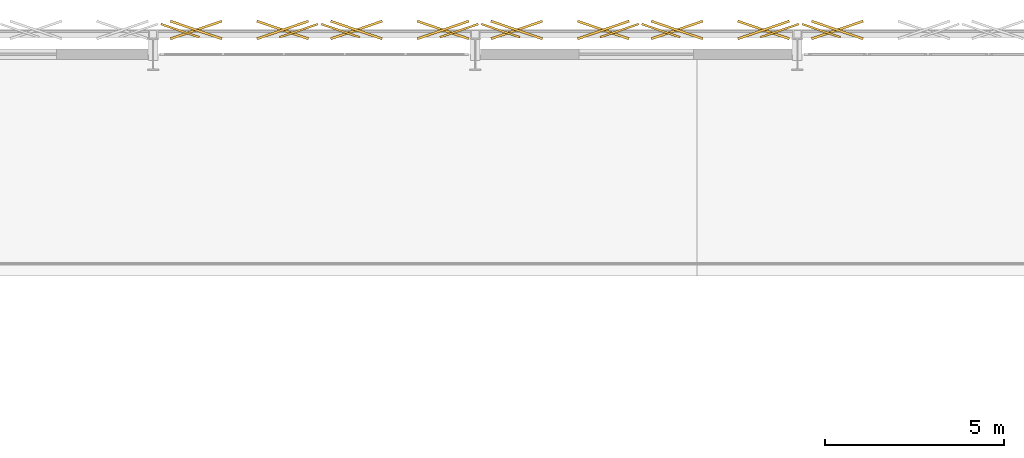
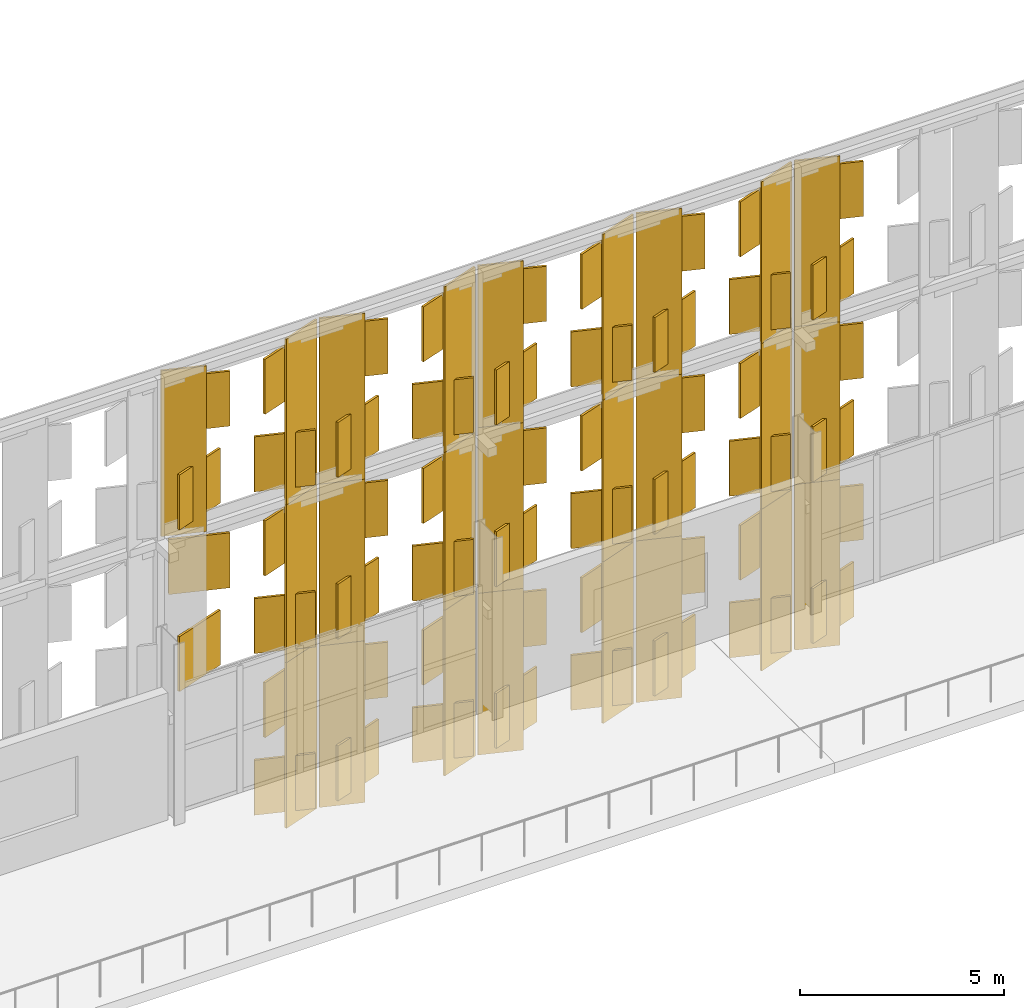
# One storey, part 196 of 210: 77 coverings.
"""IFC4 building model written with IfcOpenShell, lengths in metres."""

from ifc_helpers import new_model, si_unit, direction, frame, origin, origin_2d, place, context, subcontext, project, spatial, rectangle, extrude, material, layer, layer_set, type_object, element, save


model = new_model("IFC4")

# Units and contexts
model_context = context("Model", 3, precision=1e-05, world=origin(), true_north=direction((0.0, 1.0)))
body_context = subcontext(model_context, "Body", "Model", "MODEL_VIEW")
ifc_project = project(units=[si_unit("LENGTHUNIT", "METRE"), si_unit("AREAUNIT", "SQUARE_METRE"), si_unit("VOLUMEUNIT", "CUBIC_METRE"), si_unit("PLANEANGLEUNIT", "RADIAN"), si_unit("MASSUNIT", "GRAM", prefix="KILO")], contexts=[model_context])

# Site, building, storey
site_placement = place(None, origin())
site = spatial("IfcSite", under=ifc_project, at=site_placement, CompositionType="ELEMENT")
building_placement = place(site_placement, origin())
building = spatial("IfcBuilding", under=site, at=building_placement, Name="Kaldris Quays Convention Centre", CompositionType="ELEMENT")
storey_placement = place(building_placement, frame((0.0, 0.0, 6.0)))
storey = spatial("IfcBuildingStorey", under=building, at=storey_placement, Name="L01", CompositionType="ELEMENT", Elevation=6.0)

# Coverings
ifc_material = material(Name="Alabaster white star-pierced anodized aluminium panel", Category="aluminium")
ifc_layer = layer(ifc_material, 0.044921875)
ifc_layer_set = layer_set([ifc_layer], Name="Alabaster white star-pierced anodized aluminium panel")
covering_type = type_object("IfcCoveringType", Name="STAR PIERCED WHITE FOLDED SCREEN CL01", PredefinedType="CLADDING", material=ifc_layer_set)
covering_1_placement = place(storey_placement, frame((51.06787109375, 140.659912109375, -1.91015625), z_axis=(0.0, 0.0, 1.0), x_axis=(0.945518575599, 0.325568154457, 0.0)))
element("IfcCovering", 1, at=covering_1_placement, inside=storey, type_object=covering_type, Name="V1N Folded White Screen Stile 680", PredefinedType="CLADDING", context=body_context, shape_type="SweptSolid", body=[
    extrude(rectangle(XDim=1.136962890625, YDim=0.054931640625, at=origin_2d()), origin(), (0.0, 0.0, 1.0), 4.952880859375),
])
for number, where, z_axis, x_axis, name in (
    (2, (50.619873046875, 140.679931640625, -1.559814453125), (0.0, 0.0, 1.0), (0.945518575599, -0.325568154457, 0.0), "V1N Carved Star Corner Facet 683"),
    (3, (50.619873046875, 140.679931640625, 1.0498046875), (0.0, 0.0, 1.0), (0.945518575599, 0.325568154457, 0.0), "V1N Carved Star Corner Facet 684"),
):
    element("IfcCovering", number, at=place(storey_placement, frame(where, z_axis=z_axis, x_axis=x_axis)), inside=storey, type_object=covering_type, Name=name, PredefinedType="CLADDING", context=body_context, shape_type="SweptSolid", body=[
        extrude(rectangle(XDim=1.52294921875, YDim=0.06494140625, at=origin_2d()), origin(), (0.0, 0.0, 1.0), 1.64306640625),
    ])
covering_2_placement = place(storey_placement, frame((51.06787109375, 140.659912109375, 2.9228515625), z_axis=(0.0, 0.0, 1.0), x_axis=(0.945518575599, 0.325568154457, 0.0)))
element("IfcCovering", 4, at=covering_2_placement, inside=storey, type_object=covering_type, Name="V1N Folded White Screen Stile 686", PredefinedType="CLADDING", context=body_context, shape_type="SweptSolid", body=[
    extrude(rectangle(XDim=1.136962890625, YDim=0.054931640625, at=origin_2d()), origin(), (0.0, 0.0, 1.0), 4.9541015625),
])
for number, where, z_axis, x_axis, name in (
    (5, (48.201416015625, 140.679931640625, 3.272705078125), (0.0, 0.0, 1.0), (0.945518575599, 0.325568154457, 0.0), "V1N Carved Star Corner Facet 687"),
    (6, (48.201416015625, 140.679931640625, 5.883056640625), (0.0, 0.0, 1.0), (0.945518575599, -0.325568154457, 0.0), "V1N Carved Star Corner Facet 688"),
    (7, (50.619873046875, 140.679931640625, 3.272705078125), (0.0, 0.0, 1.0), (0.945518575599, -0.325568154457, 0.0), "V1N Carved Star Corner Facet 689"),
    (8, (50.619873046875, 140.679931640625, 5.883056640625), (0.0, 0.0, 1.0), (0.945518575599, 0.325568154457, 0.0), "V1N Carved Star Corner Facet 690"),
):
    element("IfcCovering", number, at=place(storey_placement, frame(where, z_axis=z_axis, x_axis=x_axis)), inside=storey, type_object=covering_type, Name=name, PredefinedType="CLADDING", context=body_context, shape_type="SweptSolid", body=[
        extrude(rectangle(XDim=1.52294921875, YDim=0.06494140625, at=origin_2d()), origin(), (0.0, 0.0, 1.0), 1.64404296875),
    ])
for number, where, z_axis, x_axis, name in (
    (9, (47.753662109375, 140.659912109375, 7.7568359375), (0.0, 0.0, 1.0), (0.945518575599, -0.325568154457, 0.0), "V1N Folded White Screen Stile 691"),
    (10, (51.06787109375, 140.659912109375, 7.7568359375), (0.0, 0.0, 1.0), (0.945518575599, 0.325568154457, 0.0), "V1N Folded White Screen Stile 692"),
):
    element("IfcCovering", number, at=place(storey_placement, frame(where, z_axis=z_axis, x_axis=x_axis)), inside=storey, type_object=covering_type, Name=name, PredefinedType="CLADDING", context=body_context, shape_type="SweptSolid", body=[
        extrude(rectangle(XDim=1.136962890625, YDim=0.054931640625, at=origin_2d()), origin(), (0.0, 0.0, 1.0), 4.952880859375),
    ])
for number, where, z_axis, x_axis, name in (
    (11, (48.201416015625, 140.679931640625, 8.107177734375), (0.0, 0.0, 1.0), (0.945518575599, 0.325568154457, 0.0), "V1N Carved Star Corner Facet 693"),
    (12, (48.201416015625, 140.679931640625, 10.716796875), (0.0, 0.0, 1.0), (0.945518575599, -0.325568154457, 0.0), "V1N Carved Star Corner Facet 694"),
    (13, (50.619873046875, 140.679931640625, 8.107177734375), (0.0, 0.0, 1.0), (0.945518575599, -0.325568154457, 0.0), "V1N Carved Star Corner Facet 695"),
    (14, (50.619873046875, 140.679931640625, 10.716796875), (0.0, 0.0, 1.0), (0.945518575599, 0.325568154457, 0.0), "V1N Carved Star Corner Facet 696"),
):
    element("IfcCovering", number, at=place(storey_placement, frame(where, z_axis=z_axis, x_axis=x_axis)), inside=storey, type_object=covering_type, Name=name, PredefinedType="CLADDING", context=body_context, shape_type="SweptSolid", body=[
        extrude(rectangle(XDim=1.52294921875, YDim=0.06494140625, at=origin_2d()), origin(), (0.0, 0.0, 1.0), 1.64306640625),
    ])
for number, where, z_axis, x_axis, name in (
    (15, (52.232177734375, 140.659912109375, -1.91015625), (0.0, 0.0, 1.0), (0.945518575599, -0.325568154457, 0.0), "V1N Folded White Screen Stile 697"),
    (16, (55.54638671875, 140.659912109375, -1.91015625), (0.0, 0.0, 1.0), (0.945518575599, 0.325568154457, 0.0), "V1N Folded White Screen Stile 698"),
):
    element("IfcCovering", number, at=place(storey_placement, frame(where, z_axis=z_axis, x_axis=x_axis)), inside=storey, type_object=covering_type, Name=name, PredefinedType="CLADDING", context=body_context, shape_type="SweptSolid", body=[
        extrude(rectangle(XDim=1.136962890625, YDim=0.054931640625, at=origin_2d()), origin(), (0.0, 0.0, 1.0), 4.952880859375),
    ])
for number, where, z_axis, x_axis, name in (
    (17, (52.68017578125, 140.679931640625, -1.559814453125), (0.0, 0.0, 1.0), (0.945518575599, 0.325568154457, 0.0), "V1N Carved Star Corner Facet 699"),
    (18, (52.68017578125, 140.679931640625, 1.0498046875), (0.0, 0.0, 1.0), (0.945518575599, -0.325568154457, 0.0), "V1N Carved Star Corner Facet 700"),
    (19, (55.098388671875, 140.679931640625, -1.559814453125), (0.0, 0.0, 1.0), (0.945518575599, -0.325568154457, 0.0), "V1N Carved Star Corner Facet 701"),
    (20, (55.098388671875, 140.679931640625, 1.0498046875), (0.0, 0.0, 1.0), (0.945518575599, 0.325568154457, 0.0), "V1N Carved Star Corner Facet 702"),
):
    element("IfcCovering", number, at=place(storey_placement, frame(where, z_axis=z_axis, x_axis=x_axis)), inside=storey, type_object=covering_type, Name=name, PredefinedType="CLADDING", context=body_context, shape_type="SweptSolid", body=[
        extrude(rectangle(XDim=1.52294921875, YDim=0.06494140625, at=origin_2d()), origin(), (0.0, 0.0, 1.0), 1.64306640625),
    ])
for number, where, z_axis, x_axis, name in (
    (21, (52.232177734375, 140.659912109375, 2.9228515625), (0.0, 0.0, 1.0), (0.945518575599, -0.325568154457, 0.0), "V1N Folded White Screen Stile 703"),
    (22, (55.54638671875, 140.659912109375, 2.9228515625), (0.0, 0.0, 1.0), (0.945518575599, 0.325568154457, 0.0), "V1N Folded White Screen Stile 704"),
):
    element("IfcCovering", number, at=place(storey_placement, frame(where, z_axis=z_axis, x_axis=x_axis)), inside=storey, type_object=covering_type, Name=name, PredefinedType="CLADDING", context=body_context, shape_type="SweptSolid", body=[
        extrude(rectangle(XDim=1.136962890625, YDim=0.054931640625, at=origin_2d()), origin(), (0.0, 0.0, 1.0), 4.9541015625),
    ])
for number, where, z_axis, x_axis, name in (
    (23, (52.68017578125, 140.679931640625, 3.272705078125), (0.0, 0.0, 1.0), (0.945518575599, 0.325568154457, 0.0), "V1N Carved Star Corner Facet 705"),
    (24, (52.68017578125, 140.679931640625, 5.883056640625), (0.0, 0.0, 1.0), (0.945518575599, -0.325568154457, 0.0), "V1N Carved Star Corner Facet 706"),
    (25, (55.098388671875, 140.679931640625, 3.272705078125), (0.0, 0.0, 1.0), (0.945518575599, -0.325568154457, 0.0), "V1N Carved Star Corner Facet 707"),
    (26, (55.098388671875, 140.679931640625, 5.883056640625), (0.0, 0.0, 1.0), (0.945518575599, 0.325568154457, 0.0), "V1N Carved Star Corner Facet 708"),
):
    element("IfcCovering", number, at=place(storey_placement, frame(where, z_axis=z_axis, x_axis=x_axis)), inside=storey, type_object=covering_type, Name=name, PredefinedType="CLADDING", context=body_context, shape_type="SweptSolid", body=[
        extrude(rectangle(XDim=1.52294921875, YDim=0.06494140625, at=origin_2d()), origin(), (0.0, 0.0, 1.0), 1.64404296875),
    ])
for number, where, z_axis, x_axis, name in (
    (27, (52.232177734375, 140.659912109375, 7.7568359375), (0.0, 0.0, 1.0), (0.945518575599, -0.325568154457, 0.0), "V1N Folded White Screen Stile 709"),
    (28, (55.54638671875, 140.659912109375, 7.7568359375), (0.0, 0.0, 1.0), (0.945518575599, 0.325568154457, 0.0), "V1N Folded White Screen Stile 710"),
):
    element("IfcCovering", number, at=place(storey_placement, frame(where, z_axis=z_axis, x_axis=x_axis)), inside=storey, type_object=covering_type, Name=name, PredefinedType="CLADDING", context=body_context, shape_type="SweptSolid", body=[
        extrude(rectangle(XDim=1.136962890625, YDim=0.054931640625, at=origin_2d()), origin(), (0.0, 0.0, 1.0), 4.952880859375),
    ])
for number, where, z_axis, x_axis, name in (
    (29, (52.68017578125, 140.679931640625, 8.107177734375), (0.0, 0.0, 1.0), (0.945518575599, 0.325568154457, 0.0), "V1N Carved Star Corner Facet 711"),
    (30, (52.68017578125, 140.679931640625, 10.716796875), (0.0, 0.0, 1.0), (0.945518575599, -0.325568154457, 0.0), "V1N Carved Star Corner Facet 712"),
    (31, (55.098388671875, 140.679931640625, 8.107177734375), (0.0, 0.0, 1.0), (0.945518575599, -0.325568154457, 0.0), "V1N Carved Star Corner Facet 713"),
    (32, (55.098388671875, 140.679931640625, 10.716796875), (0.0, 0.0, 1.0), (0.945518575599, 0.325568154457, 0.0), "V1N Carved Star Corner Facet 714"),
):
    element("IfcCovering", number, at=place(storey_placement, frame(where, z_axis=z_axis, x_axis=x_axis)), inside=storey, type_object=covering_type, Name=name, PredefinedType="CLADDING", context=body_context, shape_type="SweptSolid", body=[
        extrude(rectangle(XDim=1.52294921875, YDim=0.06494140625, at=origin_2d()), origin(), (0.0, 0.0, 1.0), 1.64306640625),
    ])
for number, where, z_axis, x_axis, name in (
    (33, (56.710693359375, 140.659912109375, -1.91015625), (0.0, 0.0, 1.0), (0.945518575599, -0.325568154457, 0.0), "V1N Folded White Screen Stile 715"),
    (34, (60.02490234375, 140.659912109375, -1.91015625), (0.0, 0.0, 1.0), (0.945518575599, 0.325568154457, 0.0), "V1N Folded White Screen Stile 716"),
):
    element("IfcCovering", number, at=place(storey_placement, frame(where, z_axis=z_axis, x_axis=x_axis)), inside=storey, type_object=covering_type, Name=name, PredefinedType="CLADDING", context=body_context, shape_type="SweptSolid", body=[
        extrude(rectangle(XDim=1.136962890625, YDim=0.054931640625, at=origin_2d()), origin(), (0.0, 0.0, 1.0), 4.952880859375),
    ])
for number, where, z_axis, x_axis, name in (
    (35, (57.15869140625, 140.679931640625, -1.559814453125), (0.0, 0.0, 1.0), (0.945518575599, 0.325568154457, 0.0), "V1N Carved Star Corner Facet 717"),
    (36, (57.15869140625, 140.679931640625, 1.0498046875), (0.0, 0.0, 1.0), (0.945518575599, -0.325568154457, 0.0), "V1N Carved Star Corner Facet 718"),
    (37, (59.5771484375, 140.679931640625, -1.559814453125), (0.0, 0.0, 1.0), (0.945518575599, -0.325568154457, 0.0), "V1N Carved Star Corner Facet 719"),
    (38, (59.5771484375, 140.679931640625, 1.0498046875), (0.0, 0.0, 1.0), (0.945518575599, 0.325568154457, 0.0), "V1N Carved Star Corner Facet 720"),
):
    element("IfcCovering", number, at=place(storey_placement, frame(where, z_axis=z_axis, x_axis=x_axis)), inside=storey, type_object=covering_type, Name=name, PredefinedType="CLADDING", context=body_context, shape_type="SweptSolid", body=[
        extrude(rectangle(XDim=1.52294921875, YDim=0.06494140625, at=origin_2d()), origin(), (0.0, 0.0, 1.0), 1.64306640625),
    ])
for number, where, z_axis, x_axis, name in (
    (39, (56.710693359375, 140.659912109375, 2.9228515625), (0.0, 0.0, 1.0), (0.945518575599, -0.325568154457, 0.0), "V1N Folded White Screen Stile 721"),
    (40, (60.02490234375, 140.659912109375, 2.9228515625), (0.0, 0.0, 1.0), (0.945518575599, 0.325568154457, 0.0), "V1N Folded White Screen Stile 722"),
):
    element("IfcCovering", number, at=place(storey_placement, frame(where, z_axis=z_axis, x_axis=x_axis)), inside=storey, type_object=covering_type, Name=name, PredefinedType="CLADDING", context=body_context, shape_type="SweptSolid", body=[
        extrude(rectangle(XDim=1.136962890625, YDim=0.054931640625, at=origin_2d()), origin(), (0.0, 0.0, 1.0), 4.9541015625),
    ])
for number, where, z_axis, x_axis, name in (
    (41, (57.15869140625, 140.679931640625, 3.272705078125), (0.0, 0.0, 1.0), (0.945518575599, 0.325568154457, 0.0), "V1N Carved Star Corner Facet 723"),
    (42, (57.15869140625, 140.679931640625, 5.883056640625), (0.0, 0.0, 1.0), (0.945518575599, -0.325568154457, 0.0), "V1N Carved Star Corner Facet 724"),
    (43, (59.5771484375, 140.679931640625, 3.272705078125), (0.0, 0.0, 1.0), (0.945518575599, -0.325568154457, 0.0), "V1N Carved Star Corner Facet 725"),
    (44, (59.5771484375, 140.679931640625, 5.883056640625), (0.0, 0.0, 1.0), (0.945518575599, 0.325568154457, 0.0), "V1N Carved Star Corner Facet 726"),
):
    element("IfcCovering", number, at=place(storey_placement, frame(where, z_axis=z_axis, x_axis=x_axis)), inside=storey, type_object=covering_type, Name=name, PredefinedType="CLADDING", context=body_context, shape_type="SweptSolid", body=[
        extrude(rectangle(XDim=1.52294921875, YDim=0.06494140625, at=origin_2d()), origin(), (0.0, 0.0, 1.0), 1.64404296875),
    ])
for number, where, z_axis, x_axis, name in (
    (45, (56.710693359375, 140.659912109375, 7.7568359375), (0.0, 0.0, 1.0), (0.945518575599, -0.325568154457, 0.0), "V1N Folded White Screen Stile 727"),
    (46, (60.02490234375, 140.659912109375, 7.7568359375), (0.0, 0.0, 1.0), (0.945518575599, 0.325568154457, 0.0), "V1N Folded White Screen Stile 728"),
):
    element("IfcCovering", number, at=place(storey_placement, frame(where, z_axis=z_axis, x_axis=x_axis)), inside=storey, type_object=covering_type, Name=name, PredefinedType="CLADDING", context=body_context, shape_type="SweptSolid", body=[
        extrude(rectangle(XDim=1.136962890625, YDim=0.054931640625, at=origin_2d()), origin(), (0.0, 0.0, 1.0), 4.952880859375),
    ])
for number, where, z_axis, x_axis, name in (
    (47, (57.15869140625, 140.679931640625, 8.107177734375), (0.0, 0.0, 1.0), (0.945518575599, 0.325568154457, 0.0), "V1N Carved Star Corner Facet 729"),
    (48, (57.15869140625, 140.679931640625, 10.716796875), (0.0, 0.0, 1.0), (0.945518575599, -0.325568154457, 0.0), "V1N Carved Star Corner Facet 730"),
    (49, (59.5771484375, 140.679931640625, 8.107177734375), (0.0, 0.0, 1.0), (0.945518575599, -0.325568154457, 0.0), "V1N Carved Star Corner Facet 731"),
    (50, (59.5771484375, 140.679931640625, 10.716796875), (0.0, 0.0, 1.0), (0.945518575599, 0.325568154457, 0.0), "V1N Carved Star Corner Facet 732"),
):
    element("IfcCovering", number, at=place(storey_placement, frame(where, z_axis=z_axis, x_axis=x_axis)), inside=storey, type_object=covering_type, Name=name, PredefinedType="CLADDING", context=body_context, shape_type="SweptSolid", body=[
        extrude(rectangle(XDim=1.52294921875, YDim=0.06494140625, at=origin_2d()), origin(), (0.0, 0.0, 1.0), 1.64306640625),
    ])
for number, where, z_axis, x_axis, name in (
    (51, (61.189453125, 140.659912109375, -1.91015625), (0.0, 0.0, 1.0), (0.945518575599, -0.325568154457, 0.0), "V1N Folded White Screen Stile 733"),
    (52, (64.50341796875, 140.659912109375, -1.91015625), (0.0, 0.0, 1.0), (0.945518575599, 0.325568154457, 0.0), "V1N Folded White Screen Stile 734"),
):
    element("IfcCovering", number, at=place(storey_placement, frame(where, z_axis=z_axis, x_axis=x_axis)), inside=storey, type_object=covering_type, Name=name, PredefinedType="CLADDING", context=body_context, shape_type="SweptSolid", body=[
        extrude(rectangle(XDim=1.136962890625, YDim=0.054931640625, at=origin_2d()), origin(), (0.0, 0.0, 1.0), 4.952880859375),
    ])
for number, where, z_axis, x_axis, name in (
    (53, (61.63720703125, 140.679931640625, -1.559814453125), (0.0, 0.0, 1.0), (0.945518575599, 0.325568154457, 0.0), "V1N Carved Star Corner Facet 735"),
    (54, (61.63720703125, 140.679931640625, 1.0498046875), (0.0, 0.0, 1.0), (0.945518575599, -0.325568154457, 0.0), "V1N Carved Star Corner Facet 736"),
    (55, (64.0556640625, 140.679931640625, -1.559814453125), (0.0, 0.0, 1.0), (0.945518575599, -0.325568154457, 0.0), "V1N Carved Star Corner Facet 737"),
    (56, (64.0556640625, 140.679931640625, 1.0498046875), (0.0, 0.0, 1.0), (0.945518575599, 0.325568154457, 0.0), "V1N Carved Star Corner Facet 738"),
):
    element("IfcCovering", number, at=place(storey_placement, frame(where, z_axis=z_axis, x_axis=x_axis)), inside=storey, type_object=covering_type, Name=name, PredefinedType="CLADDING", context=body_context, shape_type="SweptSolid", body=[
        extrude(rectangle(XDim=1.52294921875, YDim=0.06494140625, at=origin_2d()), origin(), (0.0, 0.0, 1.0), 1.64306640625),
    ])
for number, where, z_axis, x_axis, name in (
    (57, (61.189453125, 140.659912109375, 2.9228515625), (0.0, 0.0, 1.0), (0.945518575599, -0.325568154457, 0.0), "V1N Folded White Screen Stile 739"),
    (58, (64.50341796875, 140.659912109375, 2.9228515625), (0.0, 0.0, 1.0), (0.945518575599, 0.325568154457, 0.0), "V1N Folded White Screen Stile 740"),
):
    element("IfcCovering", number, at=place(storey_placement, frame(where, z_axis=z_axis, x_axis=x_axis)), inside=storey, type_object=covering_type, Name=name, PredefinedType="CLADDING", context=body_context, shape_type="SweptSolid", body=[
        extrude(rectangle(XDim=1.136962890625, YDim=0.054931640625, at=origin_2d()), origin(), (0.0, 0.0, 1.0), 4.9541015625),
    ])
for number, where, z_axis, x_axis, name in (
    (59, (61.63720703125, 140.679931640625, 3.272705078125), (0.0, 0.0, 1.0), (0.945518575599, 0.325568154457, 0.0), "V1N Carved Star Corner Facet 741"),
    (60, (61.63720703125, 140.679931640625, 5.883056640625), (0.0, 0.0, 1.0), (0.945518575599, -0.325568154457, 0.0), "V1N Carved Star Corner Facet 742"),
    (61, (64.0556640625, 140.679931640625, 3.272705078125), (0.0, 0.0, 1.0), (0.945518575599, -0.325568154457, 0.0), "V1N Carved Star Corner Facet 743"),
    (62, (64.0556640625, 140.679931640625, 5.883056640625), (0.0, 0.0, 1.0), (0.945518575599, 0.325568154457, 0.0), "V1N Carved Star Corner Facet 744"),
):
    element("IfcCovering", number, at=place(storey_placement, frame(where, z_axis=z_axis, x_axis=x_axis)), inside=storey, type_object=covering_type, Name=name, PredefinedType="CLADDING", context=body_context, shape_type="SweptSolid", body=[
        extrude(rectangle(XDim=1.52294921875, YDim=0.06494140625, at=origin_2d()), origin(), (0.0, 0.0, 1.0), 1.64404296875),
    ])
for number, where, z_axis, x_axis, name in (
    (63, (61.189453125, 140.659912109375, 7.7568359375), (0.0, 0.0, 1.0), (0.945518575599, -0.325568154457, 0.0), "V1N Folded White Screen Stile 745"),
    (64, (64.50341796875, 140.659912109375, 7.7568359375), (0.0, 0.0, 1.0), (0.945518575599, 0.325568154457, 0.0), "V1N Folded White Screen Stile 746"),
):
    element("IfcCovering", number, at=place(storey_placement, frame(where, z_axis=z_axis, x_axis=x_axis)), inside=storey, type_object=covering_type, Name=name, PredefinedType="CLADDING", context=body_context, shape_type="SweptSolid", body=[
        extrude(rectangle(XDim=1.136962890625, YDim=0.054931640625, at=origin_2d()), origin(), (0.0, 0.0, 1.0), 4.952880859375),
    ])
for number, where, z_axis, x_axis, name in (
    (65, (61.63720703125, 140.679931640625, 8.107177734375), (0.0, 0.0, 1.0), (0.945518575599, 0.325568154457, 0.0), "V1N Carved Star Corner Facet 747"),
    (66, (61.63720703125, 140.679931640625, 10.716796875), (0.0, 0.0, 1.0), (0.945518575599, -0.325568154457, 0.0), "V1N Carved Star Corner Facet 748"),
    (67, (64.0556640625, 140.679931640625, 8.107177734375), (0.0, 0.0, 1.0), (0.945518575599, -0.325568154457, 0.0), "V1N Carved Star Corner Facet 749"),
    (68, (64.0556640625, 140.679931640625, 10.716796875), (0.0, 0.0, 1.0), (0.945518575599, 0.325568154457, 0.0), "V1N Carved Star Corner Facet 750"),
):
    element("IfcCovering", number, at=place(storey_placement, frame(where, z_axis=z_axis, x_axis=x_axis)), inside=storey, type_object=covering_type, Name=name, PredefinedType="CLADDING", context=body_context, shape_type="SweptSolid", body=[
        extrude(rectangle(XDim=1.52294921875, YDim=0.06494140625, at=origin_2d()), origin(), (0.0, 0.0, 1.0), 1.64306640625),
    ])
covering_3_placement = place(storey_placement, frame((65.66796875, 140.659912109375, -1.91015625), z_axis=(0.0, 0.0, 1.0), x_axis=(0.945518575599, -0.325568154457, 0.0)))
element("IfcCovering", 69, at=covering_3_placement, inside=storey, type_object=covering_type, Name="V1N Folded White Screen Stile 751", PredefinedType="CLADDING", context=body_context, shape_type="SweptSolid", body=[
    extrude(rectangle(XDim=1.136962890625, YDim=0.054931640625, at=origin_2d()), origin(), (0.0, 0.0, 1.0), 4.952880859375),
])
for number, where, z_axis, x_axis, name in (
    (70, (66.11572265625, 140.679931640625, -1.559814453125), (0.0, 0.0, 1.0), (0.945518575599, 0.325568154457, 0.0), "V1N Carved Star Corner Facet 753"),
    (71, (66.11572265625, 140.679931640625, 1.0498046875), (0.0, 0.0, 1.0), (0.945518575599, -0.325568154457, 0.0), "V1N Carved Star Corner Facet 754"),
):
    element("IfcCovering", number, at=place(storey_placement, frame(where, z_axis=z_axis, x_axis=x_axis)), inside=storey, type_object=covering_type, Name=name, PredefinedType="CLADDING", context=body_context, shape_type="SweptSolid", body=[
        extrude(rectangle(XDim=1.52294921875, YDim=0.06494140625, at=origin_2d()), origin(), (0.0, 0.0, 1.0), 1.64306640625),
    ])
covering_4_placement = place(storey_placement, frame((65.66796875, 140.659912109375, 2.9228515625), z_axis=(0.0, 0.0, 1.0), x_axis=(0.945518575599, -0.325568154457, 0.0)))
element("IfcCovering", 72, at=covering_4_placement, inside=storey, type_object=covering_type, Name="V1N Folded White Screen Stile 757", PredefinedType="CLADDING", context=body_context, shape_type="SweptSolid", body=[
    extrude(rectangle(XDim=1.136962890625, YDim=0.054931640625, at=origin_2d()), origin(), (0.0, 0.0, 1.0), 4.9541015625),
])
for number, where, z_axis, x_axis, name in (
    (73, (66.11572265625, 140.679931640625, 3.272705078125), (0.0, 0.0, 1.0), (0.945518575599, 0.325568154457, 0.0), "V1N Carved Star Corner Facet 759"),
    (74, (66.11572265625, 140.679931640625, 5.883056640625), (0.0, 0.0, 1.0), (0.945518575599, -0.325568154457, 0.0), "V1N Carved Star Corner Facet 760"),
):
    element("IfcCovering", number, at=place(storey_placement, frame(where, z_axis=z_axis, x_axis=x_axis)), inside=storey, type_object=covering_type, Name=name, PredefinedType="CLADDING", context=body_context, shape_type="SweptSolid", body=[
        extrude(rectangle(XDim=1.52294921875, YDim=0.06494140625, at=origin_2d()), origin(), (0.0, 0.0, 1.0), 1.64404296875),
    ])
covering_5_placement = place(storey_placement, frame((65.66796875, 140.659912109375, 7.7568359375), z_axis=(0.0, 0.0, 1.0), x_axis=(0.945518575599, -0.325568154457, 0.0)))
element("IfcCovering", 75, at=covering_5_placement, inside=storey, type_object=covering_type, Name="V1N Folded White Screen Stile 763", PredefinedType="CLADDING", context=body_context, shape_type="SweptSolid", body=[
    extrude(rectangle(XDim=1.136962890625, YDim=0.054931640625, at=origin_2d()), origin(), (0.0, 0.0, 1.0), 4.952880859375),
])
for number, where, z_axis, x_axis, name in (
    (76, (66.11572265625, 140.679931640625, 8.107177734375), (0.0, 0.0, 1.0), (0.945518575599, 0.325568154457, 0.0), "V1N Carved Star Corner Facet 765"),
    (77, (66.11572265625, 140.679931640625, 10.716796875), (0.0, 0.0, 1.0), (0.945518575599, -0.325568154457, 0.0), "V1N Carved Star Corner Facet 766"),
):
    element("IfcCovering", number, at=place(storey_placement, frame(where, z_axis=z_axis, x_axis=x_axis)), inside=storey, type_object=covering_type, Name=name, PredefinedType="CLADDING", context=body_context, shape_type="SweptSolid", body=[
        extrude(rectangle(XDim=1.52294921875, YDim=0.06494140625, at=origin_2d()), origin(), (0.0, 0.0, 1.0), 1.64306640625),
    ])

save(model, "model.ifc")
